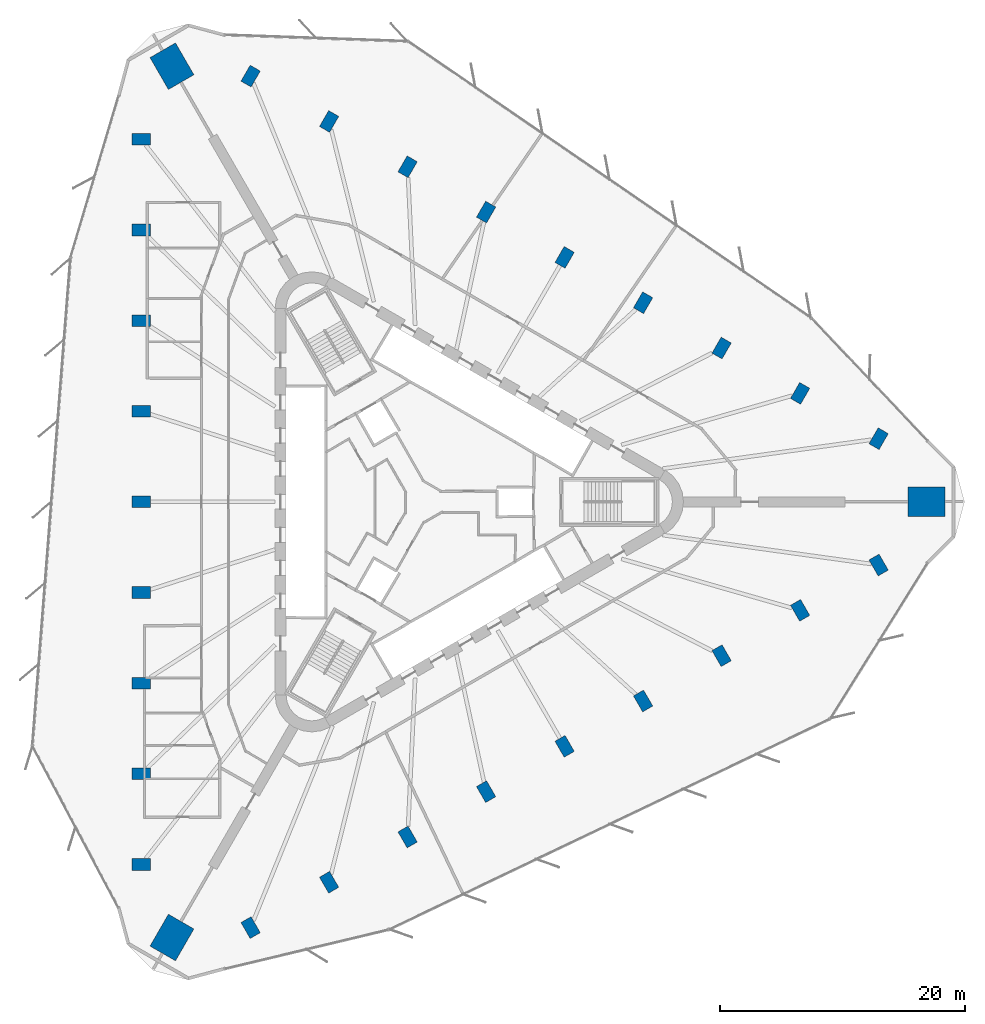
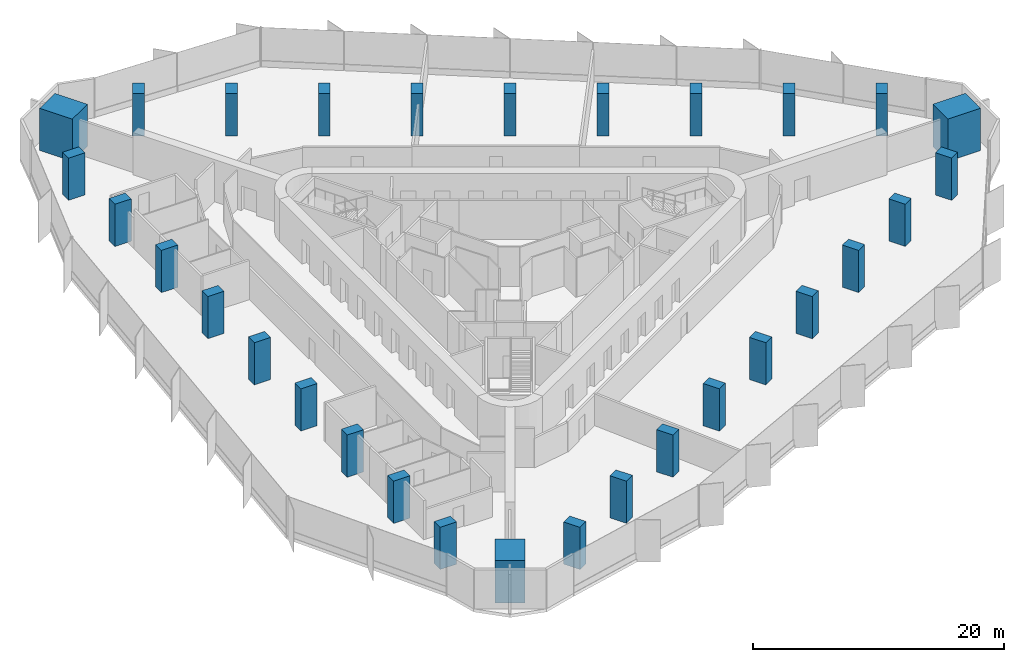
# One storey, part 1 of 15: 30 columns.
"""IFC4 building model written with IfcOpenShell, lengths in metres."""

from ifc_helpers import new_model, si_unit, direction, frame, origin, origin_2d, place, context, subcontext, project, spatial, rectangle, extrude, material, material_profile, profile_set, type_object, element, save


model = new_model("IFC4")

# Units and contexts
model_context = context("Model", 3, precision=1e-05, world=origin(), true_north=direction((0.0, 1.0)))
body_context = subcontext(model_context, "Body", "Model", "MODEL_VIEW")
ifc_project = project(units=[si_unit("LENGTHUNIT", "METRE"), si_unit("AREAUNIT", "SQUARE_METRE"), si_unit("VOLUMEUNIT", "CUBIC_METRE"), si_unit("PLANEANGLEUNIT", "RADIAN"), si_unit("MASSUNIT", "GRAM", prefix="KILO")], contexts=[model_context])

# Site, building, storey
site_placement = place(None, origin())
site = spatial("IfcSite", under=ifc_project, at=site_placement, CompositionType="ELEMENT")
building_placement = place(site_placement, origin())
building = spatial("IfcBuilding", under=site, at=building_placement, Name="Tanit Gate Tower", CompositionType="ELEMENT")
storey_placement = place(building_placement, frame((0.0, 0.0, 102.89990234375)))
storey = spatial("IfcBuildingStorey", under=building, at=storey_placement, Name="L21", CompositionType="ELEMENT", Elevation=102.89990234375)

# Columns
ifc_material_1 = material(Name="Concrete C70/85", Category="concrete")
ifc_material_profile_1 = material_profile(ifc_material_1, rectangle(XDim=3.0, YDim=2.39990234375, at=origin_2d()), Name="RC 3000x2400")
ifc_profile_set_1 = profile_set([ifc_material_profile_1], Name="Concrete C70/85")
column_type_1 = type_object("IfcColumnType", Name="MEGA COLUMN 3000x2400 C70/85", PredefinedType="COLUMN", material=ifc_profile_set_1)
for number, where, z_axis, x_axis, name in (
    (1, (41.020751953125, 0.0, 0.0), (0.0, 0.0, 1.0), (1.0, 0.0, 0.0), "MEGA COLUMN"),
    (2, (-20.510498046875, 35.52490234375, 0.0), (0.0, 0.0, 1.0), (-0.5, 0.866025403784, 0.0), "MEGA COLUMN"),
    (3, (-20.510498046875, -35.52490234375, 0.0), (0.0, 0.0, 1.0), (-0.5, -0.866025403784, 0.0), "MEGA COLUMN"),
):
    element("IfcColumn", number, at=place(storey_placement, frame(where, z_axis=z_axis, x_axis=x_axis)), inside=storey, type_object=column_type_1, Name=name, PredefinedType="COLUMN", context=body_context, shape_type="SweptSolid", body=[
        extrude(rectangle(XDim=3.0, YDim=2.39990234375, at=origin_2d()), origin(), (0.0, 0.0, 1.0), 4.10009765625),
    ])
ifc_material_2 = material(Name="Concrete C60/75", Category="concrete")
ifc_material_profile_2 = material_profile(ifc_material_2, rectangle(XDim=1.5, YDim=0.949951171875, at=origin_2d()), Name="RC 1500x950")
ifc_profile_set_2 = profile_set([ifc_material_profile_2], Name="Concrete C60/75")
column_type_2 = type_object("IfcColumnType", Name="PERIMETER COLUMN 1500x950 C60/75", PredefinedType="COLUMN", material=ifc_profile_set_2)
for number, where, z_axis, x_axis, name in (
    (4, (-23.017822265625, 29.56591796875, 0.0), (0.0, 0.0, 1.0), (-1.0, 0.0, 0.0), "PERIMETER COLUMN"),
    (5, (-23.017822265625, 22.17431640625, 0.0), (0.0, 0.0, 1.0), (-1.0, 0.0, 0.0), "PERIMETER COLUMN"),
    (6, (-23.017822265625, 14.782958984375, 0.0), (0.0, 0.0, 1.0), (-1.0, 0.0, 0.0), "PERIMETER COLUMN"),
    (7, (-23.017822265625, 7.391357421875, 0.0), (0.0, 0.0, 1.0), (-1.0, 0.0, 0.0), "PERIMETER COLUMN"),
    (8, (-23.017822265625, 0.0, 0.0), (0.0, 0.0, 1.0), (-1.0, 0.0, 0.0), "PERIMETER COLUMN"),
    (9, (-23.017822265625, -7.391357421875, 0.0), (0.0, 0.0, 1.0), (-1.0, 0.0, 0.0), "PERIMETER COLUMN"),
    (10, (-23.017822265625, -14.782958984375, 0.0), (0.0, 0.0, 1.0), (-1.0, 0.0, 0.0), "PERIMETER COLUMN"),
    (11, (-23.017822265625, -22.17431640625, 0.0), (0.0, 0.0, 1.0), (-1.0, 0.0, 0.0), "PERIMETER COLUMN"),
    (12, (-23.017822265625, -29.56591796875, 0.0), (0.0, 0.0, 1.0), (-1.0, 0.0, 0.0), "PERIMETER COLUMN"),
    (13, (37.11376953125, 5.151123046875, 0.0), (0.0, 0.0, 1.0), (0.5, 0.866025403784, 0.0), "PERIMETER COLUMN"),
    (14, (30.71240234375, 8.846923828125, 0.0), (0.0, 0.0, 1.0), (0.5, 0.866025403784, 0.0), "PERIMETER COLUMN"),
    (15, (24.311279296875, 12.542724609375, 0.0), (0.0, 0.0, 1.0), (0.5, 0.866025403784, 0.0), "PERIMETER COLUMN"),
    (16, (17.91015625, 16.23828125, 0.0), (0.0, 0.0, 1.0), (0.5, 0.866025403784, 0.0), "PERIMETER COLUMN"),
    (17, (11.509033203125, 19.93408203125, 0.0), (0.0, 0.0, 1.0), (0.5, 0.866025403784, 0.0), "PERIMETER COLUMN"),
    (18, (5.10791015625, 23.6298828125, 0.0), (0.0, 0.0, 1.0), (0.5, 0.866025403784, 0.0), "PERIMETER COLUMN"),
    (19, (-1.29345703125, 27.32568359375, 0.0), (0.0, 0.0, 1.0), (0.5, 0.866025403784, 0.0), "PERIMETER COLUMN"),
    (20, (-7.694580078125, 31.021240234375, 0.0), (0.0, 0.0, 1.0), (0.5, 0.866025403784, 0.0), "PERIMETER COLUMN"),
    (21, (-14.095703125, 34.717041015625, 0.0), (0.0, 0.0, 1.0), (0.5, 0.866025403784, 0.0), "PERIMETER COLUMN"),
    (22, (-14.095703125, -34.717041015625, 0.0), (0.0, 0.0, 1.0), (0.5, -0.866025403784, 0.0), "PERIMETER COLUMN"),
    (23, (-7.694580078125, -31.021240234375, 0.0), (0.0, 0.0, 1.0), (0.5, -0.866025403784, 0.0), "PERIMETER COLUMN"),
    (24, (-1.29345703125, -27.32568359375, 0.0), (0.0, 0.0, 1.0), (0.5, -0.866025403784, 0.0), "PERIMETER COLUMN"),
    (25, (5.10791015625, -23.6298828125, 0.0), (0.0, 0.0, 1.0), (0.5, -0.866025403784, 0.0), "PERIMETER COLUMN"),
    (26, (11.509033203125, -19.93408203125, 0.0), (0.0, 0.0, 1.0), (0.5, -0.866025403784, 0.0), "PERIMETER COLUMN"),
    (27, (17.91015625, -16.23828125, 0.0), (0.0, 0.0, 1.0), (0.5, -0.866025403784, 0.0), "PERIMETER COLUMN"),
    (28, (24.311279296875, -12.542724609375, 0.0), (0.0, 0.0, 1.0), (0.5, -0.866025403784, 0.0), "PERIMETER COLUMN"),
    (29, (30.71240234375, -8.846923828125, 0.0), (0.0, 0.0, 1.0), (0.5, -0.866025403784, 0.0), "PERIMETER COLUMN"),
    (30, (37.11376953125, -5.151123046875, 0.0), (0.0, 0.0, 1.0), (0.5, -0.866025403784, 0.0), "PERIMETER COLUMN"),
):
    element("IfcColumn", number, at=place(storey_placement, frame(where, z_axis=z_axis, x_axis=x_axis)), inside=storey, type_object=column_type_2, Name=name, PredefinedType="COLUMN", context=body_context, shape_type="SweptSolid", body=[
        extrude(rectangle(XDim=1.5, YDim=0.949951171875, at=origin_2d()), origin(), (0.0, 0.0, 1.0), 4.10009765625),
    ])

save(model, "model.ifc")
